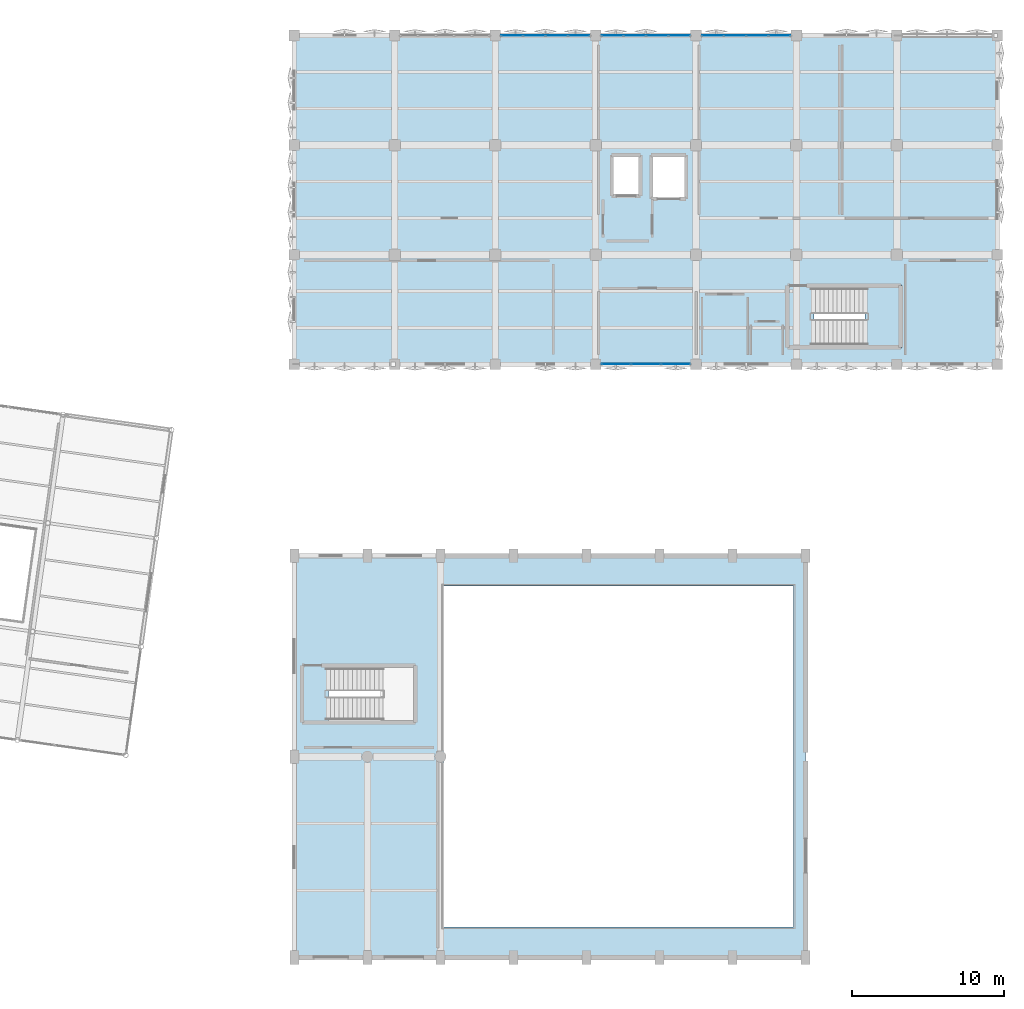
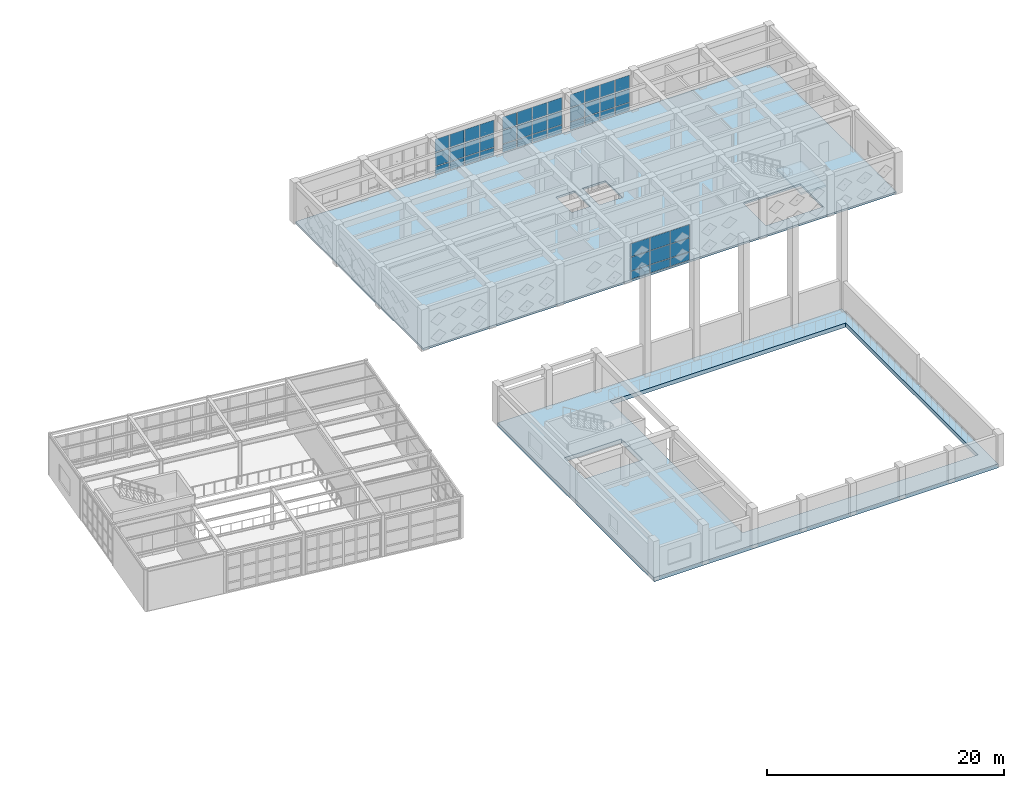
# One storey, part 58 of 80: 45 plates, 3 slabs, 5 elements without a shape of their own.
"""IFC4 building model written with IfcOpenShell, lengths in metres."""

from ifc_helpers import new_model, si_unit, direction, frame, origin, origin_2d, place, context, subcontext, project, spatial, polyline, rectangle, outline, extrude, material, layer, layer_set, type_object, element, aggregate, save


model = new_model("IFC4")

# Units and contexts
model_context = context("Model", 3, precision=1e-05, world=origin(), true_north=direction((0.0, 1.0)))
body_context = subcontext(model_context, "Body", "Model", "MODEL_VIEW")
ifc_project = project(units=[si_unit("LENGTHUNIT", "METRE"), si_unit("AREAUNIT", "SQUARE_METRE"), si_unit("VOLUMEUNIT", "CUBIC_METRE"), si_unit("PLANEANGLEUNIT", "RADIAN"), si_unit("MASSUNIT", "GRAM", prefix="KILO")], contexts=[model_context])

# Site, building, storey
site_placement = place(None, origin())
site = spatial("IfcSite", under=ifc_project, at=site_placement, CompositionType="ELEMENT")
building_placement = place(site_placement, origin())
building = spatial("IfcBuilding", under=site, at=building_placement, Name="Kharisveld Research Institute", CompositionType="ELEMENT")
storey_placement = place(building_placement, frame((0.0, 0.0, 5.10009765625)))
storey = spatial("IfcBuildingStorey", under=building, at=storey_placement, Name="L01", CompositionType="ELEMENT", Elevation=5.10009765625)

# Curtain wall, plates
ifc_material_1 = material(Name="Thermally Broken Aluminium Curtain Wall", Category="aluminium")
ifc_layer_1 = layer(ifc_material_1, 0.159912109375)
ifc_layer_set_1 = layer_set([ifc_layer_1], Name="CW_SYS_02")
curtain_wall_type_1 = type_object("IfcCurtainWallType", Name="CW_SYS_02", PredefinedType="NOTDEFINED", material=ifc_layer_set_1)
curtain_wall_1_placement = place(storey_placement, origin())
curtain_wall_1 = element("IfcCurtainWall", 1, at=curtain_wall_1_placement, inside=storey, type_object=curtain_wall_type_1, Name="CW:V2:L01:N2", PredefinedType="NOTDEFINED")
ifc_material_2 = material(Name="Low-E Double Glazing", Category="glass")
ifc_layer_2 = layer(ifc_material_2, 0.028076171875)
ifc_layer_set_2 = layer_set([ifc_layer_2], Name="CW_PNL_GLZ")
plate_type = type_object("IfcPlateType", Name="CW_PNL_GLZ", PredefinedType="CURTAIN_PANEL", material=ifc_layer_set_2)
plate_1_placement = place(storey_placement, frame((128.89990234375, 60.800048828125, 0.059814453125), z_axis=(0.0, 0.0, 1.0), x_axis=(1.0, 0.0, 0.0)))
plate_1 = element("IfcPlate", 2, at=plate_1_placement, type_object=plate_type, Name="CW-02 panel 1.1", PredefinedType="CURTAIN_PANEL", context=body_context, shape_type="SweptSolid", body=[
    extrude(rectangle(XDim=1.3798828125, YDim=0.028076171875, at=origin_2d()), origin(), (0.0, 0.0, 1.0), 0.81005859375),
])
plate_2_placement = place(storey_placement, frame((128.89990234375, 60.800048828125, 0.93017578125), z_axis=(0.0, 0.0, 1.0), x_axis=(1.0, 0.0, 0.0)))
plate_2 = element("IfcPlate", 3, at=plate_2_placement, type_object=plate_type, Name="CW-02 panel 1.2", PredefinedType="CURTAIN_PANEL", context=body_context, shape_type="SweptSolid", body=[
    extrude(rectangle(XDim=1.3798828125, YDim=0.028076171875, at=origin_2d()), origin(), (0.0, 0.0, 1.0), 1.389892578125),
])
plate_3_placement = place(storey_placement, frame((128.89990234375, 60.800048828125, 2.3798828125), z_axis=(0.0, 0.0, 1.0), x_axis=(1.0, 0.0, 0.0)))
plate_3 = element("IfcPlate", 4, at=plate_3_placement, type_object=plate_type, Name="CW-02 panel 1.3", PredefinedType="CURTAIN_PANEL", context=body_context, shape_type="SweptSolid", body=[
    extrude(rectangle(XDim=1.3798828125, YDim=0.028076171875, at=origin_2d()), origin(), (0.0, 0.0, 1.0), 1.340087890625),
])
plate_4_placement = place(storey_placement, frame((130.361328125, 60.800048828125, 0.059814453125), z_axis=(0.0, 0.0, 1.0), x_axis=(1.0, 0.0, 0.0)))
plate_4 = element("IfcPlate", 5, at=plate_4_placement, type_object=plate_type, Name="CW-02 panel 2.1", PredefinedType="CURTAIN_PANEL", context=body_context, shape_type="SweptSolid", body=[
    extrude(rectangle(XDim=1.41259765625, YDim=0.028076171875, at=origin_2d()), origin(), (0.0, 0.0, 1.0), 0.81005859375),
])
plate_5_placement = place(storey_placement, frame((130.361328125, 60.800048828125, 0.93017578125), z_axis=(0.0, 0.0, 1.0), x_axis=(1.0, 0.0, 0.0)))
plate_5 = element("IfcPlate", 6, at=plate_5_placement, type_object=plate_type, Name="CW-02 panel 2.2", PredefinedType="CURTAIN_PANEL", context=body_context, shape_type="SweptSolid", body=[
    extrude(rectangle(XDim=1.41259765625, YDim=0.028076171875, at=origin_2d()), origin(), (0.0, 0.0, 1.0), 1.389892578125),
])
plate_6_placement = place(storey_placement, frame((130.361328125, 60.800048828125, 2.3798828125), z_axis=(0.0, 0.0, 1.0), x_axis=(1.0, 0.0, 0.0)))
plate_6 = element("IfcPlate", 7, at=plate_6_placement, type_object=plate_type, Name="CW-02 panel 2.3", PredefinedType="CURTAIN_PANEL", context=body_context, shape_type="SweptSolid", body=[
    extrude(rectangle(XDim=1.41259765625, YDim=0.028076171875, at=origin_2d()), origin(), (0.0, 0.0, 1.0), 1.340087890625),
])
plate_7_placement = place(storey_placement, frame((131.8388671875, 60.800048828125, 0.059814453125), z_axis=(0.0, 0.0, 1.0), x_axis=(1.0, 0.0, 0.0)))
plate_7 = element("IfcPlate", 8, at=plate_7_placement, type_object=plate_type, Name="CW-02 panel 3.1", PredefinedType="CURTAIN_PANEL", context=body_context, shape_type="SweptSolid", body=[
    extrude(rectangle(XDim=1.41259765625, YDim=0.028076171875, at=origin_2d()), origin(), (0.0, 0.0, 1.0), 0.81005859375),
])
plate_8_placement = place(storey_placement, frame((131.8388671875, 60.800048828125, 0.93017578125), z_axis=(0.0, 0.0, 1.0), x_axis=(1.0, 0.0, 0.0)))
plate_8 = element("IfcPlate", 9, at=plate_8_placement, type_object=plate_type, Name="CW-02 panel 3.2", PredefinedType="CURTAIN_PANEL", context=body_context, shape_type="SweptSolid", body=[
    extrude(rectangle(XDim=1.41259765625, YDim=0.028076171875, at=origin_2d()), origin(), (0.0, 0.0, 1.0), 1.389892578125),
])
plate_9_placement = place(storey_placement, frame((131.8388671875, 60.800048828125, 2.3798828125), z_axis=(0.0, 0.0, 1.0), x_axis=(1.0, 0.0, 0.0)))
plate_9 = element("IfcPlate", 10, at=plate_9_placement, type_object=plate_type, Name="CW-02 panel 3.3", PredefinedType="CURTAIN_PANEL", context=body_context, shape_type="SweptSolid", body=[
    extrude(rectangle(XDim=1.41259765625, YDim=0.028076171875, at=origin_2d()), origin(), (0.0, 0.0, 1.0), 1.340087890625),
])
plate_10_placement = place(storey_placement, frame((133.300048828125, 60.800048828125, 0.059814453125), z_axis=(0.0, 0.0, 1.0), x_axis=(1.0, 0.0, 0.0)))
plate_10 = element("IfcPlate", 11, at=plate_10_placement, type_object=plate_type, Name="CW-02 panel 4.1", PredefinedType="CURTAIN_PANEL", context=body_context, shape_type="SweptSolid", body=[
    extrude(rectangle(XDim=1.3798828125, YDim=0.028076171875, at=origin_2d()), origin(), (0.0, 0.0, 1.0), 0.81005859375),
])
plate_11_placement = place(storey_placement, frame((133.300048828125, 60.800048828125, 0.93017578125), z_axis=(0.0, 0.0, 1.0), x_axis=(1.0, 0.0, 0.0)))
plate_11 = element("IfcPlate", 12, at=plate_11_placement, type_object=plate_type, Name="CW-02 panel 4.2", PredefinedType="CURTAIN_PANEL", context=body_context, shape_type="SweptSolid", body=[
    extrude(rectangle(XDim=1.3798828125, YDim=0.028076171875, at=origin_2d()), origin(), (0.0, 0.0, 1.0), 1.389892578125),
])
plate_12_placement = place(storey_placement, frame((133.300048828125, 60.800048828125, 2.3798828125), z_axis=(0.0, 0.0, 1.0), x_axis=(1.0, 0.0, 0.0)))
plate_12 = element("IfcPlate", 13, at=plate_12_placement, type_object=plate_type, Name="CW-02 panel 4.3", PredefinedType="CURTAIN_PANEL", context=body_context, shape_type="SweptSolid", body=[
    extrude(rectangle(XDim=1.3798828125, YDim=0.028076171875, at=origin_2d()), origin(), (0.0, 0.0, 1.0), 1.340087890625),
])
aggregate(curtain_wall_1, [plate_1, plate_2, plate_3, plate_4, plate_5, plate_6, plate_7, plate_8, plate_9, plate_10, plate_11, plate_12])

ifc_material_3 = material(Name="Thermally Broken Aluminium Curtain Wall", Category="aluminium")
ifc_layer_3 = layer(ifc_material_3, 0.159912109375)
ifc_layer_set_3 = layer_set([ifc_layer_3], Name="CW_SYS_03")
curtain_wall_type_2 = type_object("IfcCurtainWallType", Name="CW_SYS_03", PredefinedType="NOTDEFINED", material=ifc_layer_set_3)
curtain_wall_2_placement = place(storey_placement, origin())
curtain_wall_2 = element("IfcCurtainWall", 14, at=curtain_wall_2_placement, inside=storey, type_object=curtain_wall_type_2, Name="CW:V2:L01:N3", PredefinedType="NOTDEFINED")
plate_13_placement = place(storey_placement, frame((135.5, 60.800048828125, 0.059814453125), z_axis=(0.0, 0.0, 1.0), x_axis=(1.0, 0.0, 0.0)))
plate_13 = element("IfcPlate", 15, at=plate_13_placement, type_object=plate_type, Name="CW-03 panel 1.1", PredefinedType="CURTAIN_PANEL", context=body_context, shape_type="SweptSolid", body=[
    extrude(rectangle(XDim=1.3798828125, YDim=0.028076171875, at=origin_2d()), origin(), (0.0, 0.0, 1.0), 0.81005859375),
])
plate_14_placement = place(storey_placement, frame((135.5, 60.800048828125, 0.93017578125), z_axis=(0.0, 0.0, 1.0), x_axis=(1.0, 0.0, 0.0)))
plate_14 = element("IfcPlate", 16, at=plate_14_placement, type_object=plate_type, Name="CW-03 panel 1.2", PredefinedType="CURTAIN_PANEL", context=body_context, shape_type="SweptSolid", body=[
    extrude(rectangle(XDim=1.3798828125, YDim=0.028076171875, at=origin_2d()), origin(), (0.0, 0.0, 1.0), 1.389892578125),
])
plate_15_placement = place(storey_placement, frame((135.5, 60.800048828125, 2.3798828125), z_axis=(0.0, 0.0, 1.0), x_axis=(1.0, 0.0, 0.0)))
plate_15 = element("IfcPlate", 17, at=plate_15_placement, type_object=plate_type, Name="CW-03 panel 1.3", PredefinedType="CURTAIN_PANEL", context=body_context, shape_type="SweptSolid", body=[
    extrude(rectangle(XDim=1.3798828125, YDim=0.028076171875, at=origin_2d()), origin(), (0.0, 0.0, 1.0), 1.340087890625),
])
plate_16_placement = place(storey_placement, frame((136.961181640625, 60.800048828125, 0.059814453125), z_axis=(0.0, 0.0, 1.0), x_axis=(1.0, 0.0, 0.0)))
plate_16 = element("IfcPlate", 18, at=plate_16_placement, type_object=plate_type, Name="CW-03 panel 2.1", PredefinedType="CURTAIN_PANEL", context=body_context, shape_type="SweptSolid", body=[
    extrude(rectangle(XDim=1.41259765625, YDim=0.028076171875, at=origin_2d()), origin(), (0.0, 0.0, 1.0), 0.81005859375),
])
plate_17_placement = place(storey_placement, frame((136.961181640625, 60.800048828125, 0.93017578125), z_axis=(0.0, 0.0, 1.0), x_axis=(1.0, 0.0, 0.0)))
plate_17 = element("IfcPlate", 19, at=plate_17_placement, type_object=plate_type, Name="CW-03 panel 2.2", PredefinedType="CURTAIN_PANEL", context=body_context, shape_type="SweptSolid", body=[
    extrude(rectangle(XDim=1.41259765625, YDim=0.028076171875, at=origin_2d()), origin(), (0.0, 0.0, 1.0), 1.389892578125),
])
plate_18_placement = place(storey_placement, frame((136.961181640625, 60.800048828125, 2.3798828125), z_axis=(0.0, 0.0, 1.0), x_axis=(1.0, 0.0, 0.0)))
plate_18 = element("IfcPlate", 20, at=plate_18_placement, type_object=plate_type, Name="CW-03 panel 2.3", PredefinedType="CURTAIN_PANEL", context=body_context, shape_type="SweptSolid", body=[
    extrude(rectangle(XDim=1.41259765625, YDim=0.028076171875, at=origin_2d()), origin(), (0.0, 0.0, 1.0), 1.340087890625),
])
plate_19_placement = place(storey_placement, frame((138.438720703125, 60.800048828125, 0.059814453125), z_axis=(0.0, 0.0, 1.0), x_axis=(1.0, 0.0, 0.0)))
plate_19 = element("IfcPlate", 21, at=plate_19_placement, type_object=plate_type, Name="CW-03 panel 3.1", PredefinedType="CURTAIN_PANEL", context=body_context, shape_type="SweptSolid", body=[
    extrude(rectangle(XDim=1.41259765625, YDim=0.028076171875, at=origin_2d()), origin(), (0.0, 0.0, 1.0), 0.81005859375),
])
plate_20_placement = place(storey_placement, frame((138.438720703125, 60.800048828125, 0.93017578125), z_axis=(0.0, 0.0, 1.0), x_axis=(1.0, 0.0, 0.0)))
plate_20 = element("IfcPlate", 22, at=plate_20_placement, type_object=plate_type, Name="CW-03 panel 3.2", PredefinedType="CURTAIN_PANEL", context=body_context, shape_type="SweptSolid", body=[
    extrude(rectangle(XDim=1.41259765625, YDim=0.028076171875, at=origin_2d()), origin(), (0.0, 0.0, 1.0), 1.389892578125),
])
plate_21_placement = place(storey_placement, frame((138.438720703125, 60.800048828125, 2.3798828125), z_axis=(0.0, 0.0, 1.0), x_axis=(1.0, 0.0, 0.0)))
plate_21 = element("IfcPlate", 23, at=plate_21_placement, type_object=plate_type, Name="CW-03 panel 3.3", PredefinedType="CURTAIN_PANEL", context=body_context, shape_type="SweptSolid", body=[
    extrude(rectangle(XDim=1.41259765625, YDim=0.028076171875, at=origin_2d()), origin(), (0.0, 0.0, 1.0), 1.340087890625),
])
plate_22_placement = place(storey_placement, frame((139.89990234375, 60.800048828125, 0.059814453125), z_axis=(0.0, 0.0, 1.0), x_axis=(1.0, 0.0, 0.0)))
plate_22 = element("IfcPlate", 24, at=plate_22_placement, type_object=plate_type, Name="CW-03 panel 4.1", PredefinedType="CURTAIN_PANEL", context=body_context, shape_type="SweptSolid", body=[
    extrude(rectangle(XDim=1.3798828125, YDim=0.028076171875, at=origin_2d()), origin(), (0.0, 0.0, 1.0), 0.81005859375),
])
plate_23_placement = place(storey_placement, frame((139.89990234375, 60.800048828125, 0.93017578125), z_axis=(0.0, 0.0, 1.0), x_axis=(1.0, 0.0, 0.0)))
plate_23 = element("IfcPlate", 25, at=plate_23_placement, type_object=plate_type, Name="CW-03 panel 4.2", PredefinedType="CURTAIN_PANEL", context=body_context, shape_type="SweptSolid", body=[
    extrude(rectangle(XDim=1.3798828125, YDim=0.028076171875, at=origin_2d()), origin(), (0.0, 0.0, 1.0), 1.389892578125),
])
plate_24_placement = place(storey_placement, frame((139.89990234375, 60.800048828125, 2.3798828125), z_axis=(0.0, 0.0, 1.0), x_axis=(1.0, 0.0, 0.0)))
plate_24 = element("IfcPlate", 26, at=plate_24_placement, type_object=plate_type, Name="CW-03 panel 4.3", PredefinedType="CURTAIN_PANEL", context=body_context, shape_type="SweptSolid", body=[
    extrude(rectangle(XDim=1.3798828125, YDim=0.028076171875, at=origin_2d()), origin(), (0.0, 0.0, 1.0), 1.340087890625),
])
aggregate(curtain_wall_2, [plate_13, plate_14, plate_15, plate_16, plate_17, plate_18, plate_19, plate_20, plate_21, plate_22, plate_23, plate_24])

ifc_material_4 = material(Name="Thermally Broken Aluminium Curtain Wall", Category="aluminium")
ifc_layer_4 = layer(ifc_material_4, 0.159912109375)
ifc_layer_set_4 = layer_set([ifc_layer_4], Name="CW_SYS_04")
curtain_wall_type_3 = type_object("IfcCurtainWallType", Name="CW_SYS_04", PredefinedType="NOTDEFINED", material=ifc_layer_set_4)
curtain_wall_3_placement = place(storey_placement, origin())
curtain_wall_3 = element("IfcCurtainWall", 27, at=curtain_wall_3_placement, inside=storey, type_object=curtain_wall_type_3, Name="CW:V2:L01:N4", PredefinedType="NOTDEFINED")
plate_25_placement = place(storey_placement, frame((142.10009765625, 60.800048828125, 0.059814453125), z_axis=(0.0, 0.0, 1.0), x_axis=(1.0, 0.0, 0.0)))
plate_25 = element("IfcPlate", 28, at=plate_25_placement, type_object=plate_type, Name="CW-04 panel 1.1", PredefinedType="CURTAIN_PANEL", context=body_context, shape_type="SweptSolid", body=[
    extrude(rectangle(XDim=1.3798828125, YDim=0.028076171875, at=origin_2d()), origin(), (0.0, 0.0, 1.0), 0.81005859375),
])
plate_26_placement = place(storey_placement, frame((142.10009765625, 60.800048828125, 0.93017578125), z_axis=(0.0, 0.0, 1.0), x_axis=(1.0, 0.0, 0.0)))
plate_26 = element("IfcPlate", 29, at=plate_26_placement, type_object=plate_type, Name="CW-04 panel 1.2", PredefinedType="CURTAIN_PANEL", context=body_context, shape_type="SweptSolid", body=[
    extrude(rectangle(XDim=1.3798828125, YDim=0.028076171875, at=origin_2d()), origin(), (0.0, 0.0, 1.0), 1.389892578125),
])
plate_27_placement = place(storey_placement, frame((142.10009765625, 60.800048828125, 2.3798828125), z_axis=(0.0, 0.0, 1.0), x_axis=(1.0, 0.0, 0.0)))
plate_27 = element("IfcPlate", 30, at=plate_27_placement, type_object=plate_type, Name="CW-04 panel 1.3", PredefinedType="CURTAIN_PANEL", context=body_context, shape_type="SweptSolid", body=[
    extrude(rectangle(XDim=1.3798828125, YDim=0.028076171875, at=origin_2d()), origin(), (0.0, 0.0, 1.0), 1.340087890625),
])
plate_28_placement = place(storey_placement, frame((143.561279296875, 60.800048828125, 0.059814453125), z_axis=(0.0, 0.0, 1.0), x_axis=(1.0, 0.0, 0.0)))
plate_28 = element("IfcPlate", 31, at=plate_28_placement, type_object=plate_type, Name="CW-04 panel 2.1", PredefinedType="CURTAIN_PANEL", context=body_context, shape_type="SweptSolid", body=[
    extrude(rectangle(XDim=1.41259765625, YDim=0.028076171875, at=origin_2d()), origin(), (0.0, 0.0, 1.0), 0.81005859375),
])
plate_29_placement = place(storey_placement, frame((143.561279296875, 60.800048828125, 0.93017578125), z_axis=(0.0, 0.0, 1.0), x_axis=(1.0, 0.0, 0.0)))
plate_29 = element("IfcPlate", 32, at=plate_29_placement, type_object=plate_type, Name="CW-04 panel 2.2", PredefinedType="CURTAIN_PANEL", context=body_context, shape_type="SweptSolid", body=[
    extrude(rectangle(XDim=1.41259765625, YDim=0.028076171875, at=origin_2d()), origin(), (0.0, 0.0, 1.0), 1.389892578125),
])
plate_30_placement = place(storey_placement, frame((143.561279296875, 60.800048828125, 2.3798828125), z_axis=(0.0, 0.0, 1.0), x_axis=(1.0, 0.0, 0.0)))
plate_30 = element("IfcPlate", 33, at=plate_30_placement, type_object=plate_type, Name="CW-04 panel 2.3", PredefinedType="CURTAIN_PANEL", context=body_context, shape_type="SweptSolid", body=[
    extrude(rectangle(XDim=1.41259765625, YDim=0.028076171875, at=origin_2d()), origin(), (0.0, 0.0, 1.0), 1.340087890625),
])
plate_31_placement = place(storey_placement, frame((145.038818359375, 60.800048828125, 0.059814453125), z_axis=(0.0, 0.0, 1.0), x_axis=(1.0, 0.0, 0.0)))
plate_31 = element("IfcPlate", 34, at=plate_31_placement, type_object=plate_type, Name="CW-04 panel 3.1", PredefinedType="CURTAIN_PANEL", context=body_context, shape_type="SweptSolid", body=[
    extrude(rectangle(XDim=1.41259765625, YDim=0.028076171875, at=origin_2d()), origin(), (0.0, 0.0, 1.0), 0.81005859375),
])
plate_32_placement = place(storey_placement, frame((145.038818359375, 60.800048828125, 0.93017578125), z_axis=(0.0, 0.0, 1.0), x_axis=(1.0, 0.0, 0.0)))
plate_32 = element("IfcPlate", 35, at=plate_32_placement, type_object=plate_type, Name="CW-04 panel 3.2", PredefinedType="CURTAIN_PANEL", context=body_context, shape_type="SweptSolid", body=[
    extrude(rectangle(XDim=1.41259765625, YDim=0.028076171875, at=origin_2d()), origin(), (0.0, 0.0, 1.0), 1.389892578125),
])
plate_33_placement = place(storey_placement, frame((145.038818359375, 60.800048828125, 2.3798828125), z_axis=(0.0, 0.0, 1.0), x_axis=(1.0, 0.0, 0.0)))
plate_33 = element("IfcPlate", 36, at=plate_33_placement, type_object=plate_type, Name="CW-04 panel 3.3", PredefinedType="CURTAIN_PANEL", context=body_context, shape_type="SweptSolid", body=[
    extrude(rectangle(XDim=1.41259765625, YDim=0.028076171875, at=origin_2d()), origin(), (0.0, 0.0, 1.0), 1.340087890625),
])
plate_34_placement = place(storey_placement, frame((146.5, 60.800048828125, 0.059814453125), z_axis=(0.0, 0.0, 1.0), x_axis=(1.0, 0.0, 0.0)))
plate_34 = element("IfcPlate", 37, at=plate_34_placement, type_object=plate_type, Name="CW-04 panel 4.1", PredefinedType="CURTAIN_PANEL", context=body_context, shape_type="SweptSolid", body=[
    extrude(rectangle(XDim=1.3798828125, YDim=0.028076171875, at=origin_2d()), origin(), (0.0, 0.0, 1.0), 0.81005859375),
])
plate_35_placement = place(storey_placement, frame((146.5, 60.800048828125, 0.93017578125), z_axis=(0.0, 0.0, 1.0), x_axis=(1.0, 0.0, 0.0)))
plate_35 = element("IfcPlate", 38, at=plate_35_placement, type_object=plate_type, Name="CW-04 panel 4.2", PredefinedType="CURTAIN_PANEL", context=body_context, shape_type="SweptSolid", body=[
    extrude(rectangle(XDim=1.3798828125, YDim=0.028076171875, at=origin_2d()), origin(), (0.0, 0.0, 1.0), 1.389892578125),
])
plate_36_placement = place(storey_placement, frame((146.5, 60.800048828125, 2.3798828125), z_axis=(0.0, 0.0, 1.0), x_axis=(1.0, 0.0, 0.0)))
plate_36 = element("IfcPlate", 39, at=plate_36_placement, type_object=plate_type, Name="CW-04 panel 4.3", PredefinedType="CURTAIN_PANEL", context=body_context, shape_type="SweptSolid", body=[
    extrude(rectangle(XDim=1.3798828125, YDim=0.028076171875, at=origin_2d()), origin(), (0.0, 0.0, 1.0), 1.340087890625),
])
aggregate(curtain_wall_3, [plate_25, plate_26, plate_27, plate_28, plate_29, plate_30, plate_31, plate_32, plate_33, plate_34, plate_35, plate_36])

ifc_material_5 = material(Name="Thermally Broken Aluminium Curtain Wall", Category="aluminium")
ifc_layer_5 = layer(ifc_material_5, 0.159912109375)
ifc_layer_set_5 = layer_set([ifc_layer_5], Name="CW_SYS_05")
curtain_wall_type_4 = type_object("IfcCurtainWallType", Name="CW_SYS_05", PredefinedType="NOTDEFINED", material=ifc_layer_set_5)
curtain_wall_4_placement = place(storey_placement, origin())
curtain_wall_4 = element("IfcCurtainWall", 40, at=curtain_wall_4_placement, inside=storey, type_object=curtain_wall_type_4, Name="CW:V2:L01:S4", PredefinedType="NOTDEFINED")
plate_37_placement = place(storey_placement, frame((139.65380859375, 39.199951171875, 0.059814453125), z_axis=(0.0, 0.0, 1.0), x_axis=(-1.0, 0.0, 0.0)))
plate_37 = element("IfcPlate", 41, at=plate_37_placement, type_object=plate_type, Name="CW-05 panel 1.1", PredefinedType="CURTAIN_PANEL", context=body_context, shape_type="SweptSolid", body=[
    extrude(rectangle(XDim=1.87255859375, YDim=0.028076171875, at=origin_2d()), origin(), (0.0, 0.0, 1.0), 0.81005859375),
])
plate_38_placement = place(storey_placement, frame((139.65380859375, 39.199951171875, 0.93017578125), z_axis=(0.0, 0.0, 1.0), x_axis=(-1.0, 0.0, 0.0)))
plate_38 = element("IfcPlate", 42, at=plate_38_placement, type_object=plate_type, Name="CW-05 panel 1.2", PredefinedType="CURTAIN_PANEL", context=body_context, shape_type="SweptSolid", body=[
    extrude(rectangle(XDim=1.87255859375, YDim=0.028076171875, at=origin_2d()), origin(), (0.0, 0.0, 1.0), 1.389892578125),
])
plate_39_placement = place(storey_placement, frame((139.65380859375, 39.199951171875, 2.3798828125), z_axis=(0.0, 0.0, 1.0), x_axis=(-1.0, 0.0, 0.0)))
plate_39 = element("IfcPlate", 43, at=plate_39_placement, type_object=plate_type, Name="CW-05 panel 1.3", PredefinedType="CURTAIN_PANEL", context=body_context, shape_type="SweptSolid", body=[
    extrude(rectangle(XDim=1.87255859375, YDim=0.028076171875, at=origin_2d()), origin(), (0.0, 0.0, 1.0), 1.340087890625),
])
plate_40_placement = place(storey_placement, frame((137.699951171875, 39.199951171875, 0.059814453125), z_axis=(0.0, 0.0, 1.0), x_axis=(-1.0, 0.0, 0.0)))
plate_40 = element("IfcPlate", 44, at=plate_40_placement, type_object=plate_type, Name="CW-05 panel 2.1", PredefinedType="CURTAIN_PANEL", context=body_context, shape_type="SweptSolid", body=[
    extrude(rectangle(XDim=1.905029296875, YDim=0.028076171875, at=origin_2d()), origin(), (0.0, 0.0, 1.0), 0.81005859375),
])
plate_41_placement = place(storey_placement, frame((137.699951171875, 39.199951171875, 0.93017578125), z_axis=(0.0, 0.0, 1.0), x_axis=(-1.0, 0.0, 0.0)))
plate_41 = element("IfcPlate", 45, at=plate_41_placement, type_object=plate_type, Name="CW-05 panel 2.2", PredefinedType="CURTAIN_PANEL", context=body_context, shape_type="SweptSolid", body=[
    extrude(rectangle(XDim=1.905029296875, YDim=0.028076171875, at=origin_2d()), origin(), (0.0, 0.0, 1.0), 1.389892578125),
])
plate_42_placement = place(storey_placement, frame((137.699951171875, 39.199951171875, 2.3798828125), z_axis=(0.0, 0.0, 1.0), x_axis=(-1.0, 0.0, 0.0)))
plate_42 = element("IfcPlate", 46, at=plate_42_placement, type_object=plate_type, Name="CW-05 panel 2.3", PredefinedType="CURTAIN_PANEL", context=body_context, shape_type="SweptSolid", body=[
    extrude(rectangle(XDim=1.905029296875, YDim=0.028076171875, at=origin_2d()), origin(), (0.0, 0.0, 1.0), 1.340087890625),
])
plate_43_placement = place(storey_placement, frame((135.746337890625, 39.199951171875, 0.059814453125), z_axis=(0.0, 0.0, 1.0), x_axis=(-1.0, 0.0, 0.0)))
plate_43 = element("IfcPlate", 47, at=plate_43_placement, type_object=plate_type, Name="CW-05 panel 3.1", PredefinedType="CURTAIN_PANEL", context=body_context, shape_type="SweptSolid", body=[
    extrude(rectangle(XDim=1.87255859375, YDim=0.028076171875, at=origin_2d()), origin(), (0.0, 0.0, 1.0), 0.81005859375),
])
plate_44_placement = place(storey_placement, frame((135.746337890625, 39.199951171875, 0.93017578125), z_axis=(0.0, 0.0, 1.0), x_axis=(-1.0, 0.0, 0.0)))
plate_44 = element("IfcPlate", 48, at=plate_44_placement, type_object=plate_type, Name="CW-05 panel 3.2", PredefinedType="CURTAIN_PANEL", context=body_context, shape_type="SweptSolid", body=[
    extrude(rectangle(XDim=1.87255859375, YDim=0.028076171875, at=origin_2d()), origin(), (0.0, 0.0, 1.0), 1.389892578125),
])
plate_45_placement = place(storey_placement, frame((135.746337890625, 39.199951171875, 2.3798828125), z_axis=(0.0, 0.0, 1.0), x_axis=(-1.0, 0.0, 0.0)))
plate_45 = element("IfcPlate", 49, at=plate_45_placement, type_object=plate_type, Name="CW-05 panel 3.3", PredefinedType="CURTAIN_PANEL", context=body_context, shape_type="SweptSolid", body=[
    extrude(rectangle(XDim=1.87255859375, YDim=0.028076171875, at=origin_2d()), origin(), (0.0, 0.0, 1.0), 1.340087890625),
])
aggregate(curtain_wall_4, [plate_37, plate_38, plate_39, plate_40, plate_41, plate_42, plate_43, plate_44, plate_45])

# Slabs
ifc_material_6 = material(Name="Concrete C40/50", Category="concrete")
ifc_layer_6 = layer(ifc_material_6, 0.199951171875)
ifc_layer_set_6 = layer_set([ifc_layer_6], Name="SL_FLR_200")
slab_type_1 = type_object("IfcSlabType", Name="SL_FLR_200", PredefinedType="FLOOR", material=ifc_layer_set_6)
slab_1_placement = place(storey_placement, frame((0.0, 0.0, -0.2001953125)))
element("IfcSlab", 50, at=slab_1_placement, inside=storey, type_object=slab_type_1, Name="SLAB:V2:L01:MAIN", PredefinedType="FLOOR", context=body_context, shape_type="SweptSolid", body=[
    extrude(outline(polyline([(114.60009765625, 39.199951171875), (160.800048828125, 39.199951171875), (160.800048828125, 60.800048828125), (114.60009765625, 60.800048828125), (114.60009765625, 39.199951171875)]), holes=[polyline([(154.35009765625, 44.260009765625), (154.35009765625, 40.39990234375), (148.75, 40.39990234375), (148.75, 44.260009765625), (154.35009765625, 44.260009765625)]), polyline([(140.320068359375, 50.080078125), (138.080078125, 50.080078125), (138.080078125, 52.919921875), (140.320068359375, 52.919921875), (140.320068359375, 50.080078125)]), polyline([(137.320068359375, 50.280029296875), (135.47998046875, 50.280029296875), (135.47998046875, 52.919921875), (137.320068359375, 52.919921875), (137.320068359375, 50.280029296875)])]), origin(), (0.0, 0.0, 1.0), 0.2001953125),
])
ifc_material_7 = material(Name="Concrete C40/50", Category="concrete")
ifc_layer_7 = layer(ifc_material_7, 0.419921875)
ifc_layer_set_7 = layer_set([ifc_layer_7], Name="SL_FLR_420")
slab_type_2 = type_object("IfcSlabType", Name="SL_FLR_420", PredefinedType="FLOOR", material=ifc_layer_set_7)
slab_2_placement = place(storey_placement, frame((0.0, 0.0, -0.420166015625)))
element("IfcSlab", 51, at=slab_2_placement, inside=storey, type_object=slab_type_2, Name="SLAB:V5:L01:MAIN", PredefinedType="FLOOR", context=body_context, shape_type="SweptSolid", body=[
    extrude(outline(polyline([(114.60009765625, 0.199951171875), (148.199951171875, 0.199951171875), (148.199951171875, 26.60009765625), (114.60009765625, 26.60009765625), (114.60009765625, 0.199951171875)]), holes=[polyline([(147.39990234375, 24.60009765625), (147.39990234375, 2.199951171875), (124.39990234375, 2.199951171875), (124.39990234375, 24.60009765625), (147.39990234375, 24.60009765625)]), polyline([(122.449951171875, 19.2900390625), (122.449951171875, 15.75), (116.85009765625, 15.75), (116.85009765625, 19.2900390625), (122.449951171875, 19.2900390625)])]), origin(), (0.0, 0.0, 1.0), 0.420166015625),
])

# Stair, slab
ifc_material_8 = material(Name="Concrete C40/50", Category="concrete")
stair_type = type_object("IfcStairType", Name="ST_EXIT_170", PredefinedType="TWO_STRAIGHT_RUN_STAIR", material=ifc_material_8)
stair_placement = place(storey_placement, origin())
stair = element("IfcStair", 52, at=stair_placement, inside=storey, type_object=stair_type, Name="STR:ST3:L01", PredefinedType="TWO_STRAIGHT_RUN_STAIR")
ifc_material_9 = material(Name="Concrete C40/50", Category="concrete")
ifc_layer_8 = layer(ifc_material_9, 0.179931640625)
ifc_layer_set_8 = layer_set([ifc_layer_8], Name="SL_LND_180")
slab_type_3 = type_object("IfcSlabType", Name="SL_LND_180", PredefinedType="LANDING", material=ifc_layer_set_8)
slab_3_placement = place(storey_placement, frame((0.0, 0.0, 2.06982421875)))
slab_3 = element("IfcSlab", 53, at=slab_3_placement, type_object=slab_type_3, Name="ST-03 landing 1", PredefinedType="LANDING", context=body_context, shape_type="SweptSolid", body=[
    extrude(outline(polyline([(152.094970703125, 40.27001953125), (154.5, 40.27001953125), (154.5, 44.389892578125), (152.094970703125, 44.389892578125), (152.094970703125, 40.27001953125)])), origin(), (0.0, 0.0, 1.0), 0.18017578125),
])
aggregate(stair, [slab_3])

save(model, "model.ifc")
